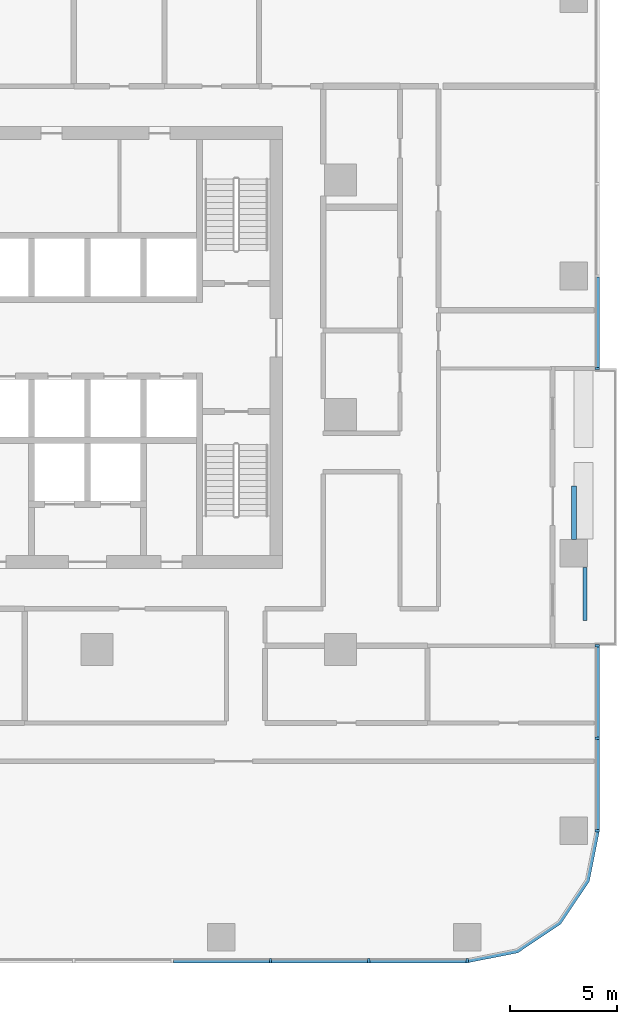
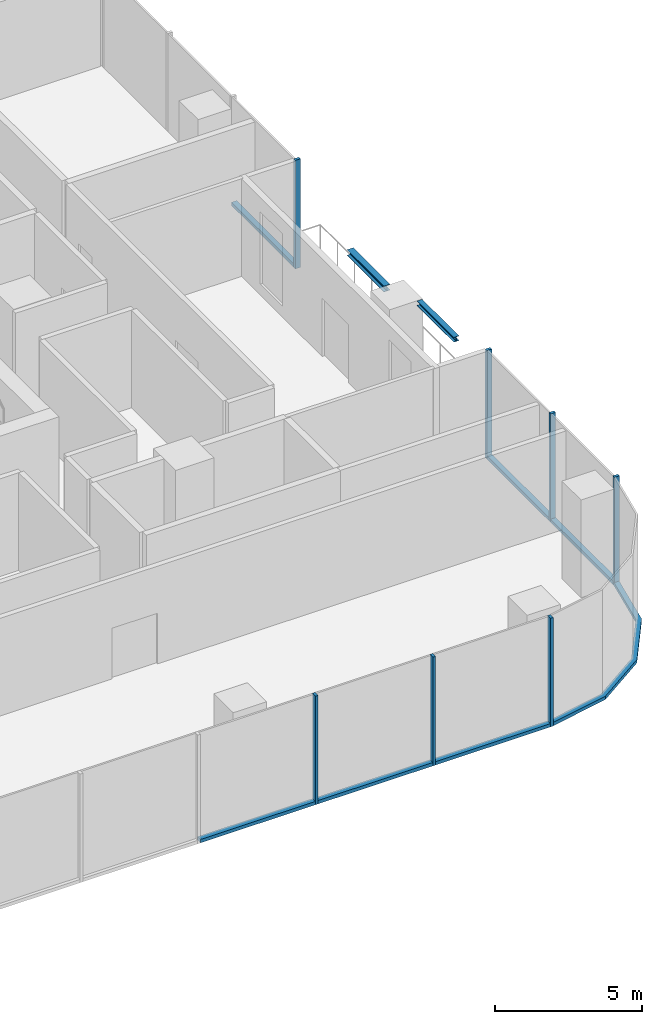
# One storey, part 3 of 14: 14 members, 2 beams, 4 elements without a shape of their own.
"""IFC4 building model written with IfcOpenShell, lengths in metres."""

from ifc_helpers import new_model, si_unit, direction, frame, origin, origin_2d, place, context, subcontext, project, spatial, polyline, rectangle, i_section, outline, extrude, material, material_profile, profile_set, type_object, element, aggregate, save


model = new_model("IFC4")

# Units and contexts
model_context = context("Model", 3, precision=1e-05, world=origin(), true_north=direction((0.0, 1.0)))
body_context = subcontext(model_context, "Body", "Model", "MODEL_VIEW")
ifc_project = project(units=[si_unit("LENGTHUNIT", "METRE"), si_unit("AREAUNIT", "SQUARE_METRE"), si_unit("VOLUMEUNIT", "CUBIC_METRE"), si_unit("PLANEANGLEUNIT", "RADIAN"), si_unit("MASSUNIT", "GRAM", prefix="KILO")], contexts=[model_context])

# Site, building, storey
site_placement = place(None, origin())
site = spatial("IfcSite", under=ifc_project, at=site_placement, CompositionType="ELEMENT")
building_placement = place(site_placement, origin())
building = spatial("IfcBuilding", under=site, at=building_placement, Name="Mopane Tessera Tower", CompositionType="ELEMENT")
storey_placement = place(building_placement, frame((0.0, 0.0, 126.10009765625)))
storey = spatial("IfcBuildingStorey", under=building, at=storey_placement, Name="L25", CompositionType="ELEMENT", Elevation=126.10009765625)

# Curtain wall, members
ifc_material_1 = material(Name="Aluminium frame", Category="aluminium")
curtain_wall_type = type_object("IfcCurtainWallType", Name="Lower tower unitised wall", PredefinedType="NOTDEFINED", material=ifc_material_1)
curtain_wall_1_placement = place(storey_placement, origin())
curtain_wall_1 = element("IfcCurtainWall", 1, at=curtain_wall_1_placement, inside=storey, type_object=curtain_wall_type, Name="e:cw:L25:S:4", PredefinedType="NOTDEFINED")
ifc_material_2 = material(Name="Aluminium frame", Category="aluminium")
ifc_material_profile_1 = material_profile(ifc_material_2, rectangle(XDim=0.110107421875, YDim=0.199951171875, at=origin_2d()))
ifc_profile_set_1 = profile_set([ifc_material_profile_1], Name="Aluminium frame")
member_type_1 = type_object("IfcMemberType", Name="Aluminium mullion 110 x 200", PredefinedType="MULLION", material=ifc_profile_set_1)
member_1_placement = place(storey_placement, frame((13.830078125, -25.60009765625, -0.4501953125), z_axis=(0.0, 0.0, 1.0), x_axis=(1.0, 0.0, 0.0)))
member_1 = element("IfcMember", 2, at=member_1_placement, type_object=member_type_1, Name="e:cw:L25:S:4:mu8", PredefinedType="MULLION", context=body_context, shape_type="SweptSolid", body=[
    extrude(rectangle(XDim=0.110107421875, YDim=0.199951171875, at=origin_2d()), origin(), (0.0, 0.0, 1.0), 4.5),
])
member_2_placement = place(storey_placement, frame((18.43994140625, -25.60009765625, -0.4501953125), z_axis=(0.0, 0.0, 1.0), x_axis=(1.0, 0.0, 0.0)))
member_2 = element("IfcMember", 3, at=member_2_placement, type_object=member_type_1, Name="e:cw:L25:S:4:mu9", PredefinedType="MULLION", context=body_context, shape_type="SweptSolid", body=[
    extrude(rectangle(XDim=0.110107421875, YDim=0.199951171875, at=origin_2d()), origin(), (0.0, 0.0, 1.0), 4.5),
])
member_3_placement = place(storey_placement, frame((23.050048828125, -25.60009765625, -0.4501953125), z_axis=(0.0, 0.0, 1.0), x_axis=(1.0, 0.0, 0.0)))
member_3 = element("IfcMember", 4, at=member_3_placement, type_object=member_type_1, Name="e:cw:L25:S:4:mu10", PredefinedType="MULLION", context=body_context, shape_type="SweptSolid", body=[
    extrude(rectangle(XDim=0.110107421875, YDim=0.199951171875, at=origin_2d()), origin(), (0.0, 0.0, 1.0), 4.5),
])

curtain_wall_2_placement = place(storey_placement, origin())
curtain_wall_2 = element("IfcCurtainWall", 5, at=curtain_wall_2_placement, inside=storey, type_object=curtain_wall_type, Name="e:cw:L25:E:0", PredefinedType="NOTDEFINED")
member_4_placement = place(storey_placement, frame((29.14990234375, -19.5, -0.4501953125), z_axis=(0.0, 0.0, 1.0), x_axis=(0.0, 1.0, 0.0)))
member_4 = element("IfcMember", 6, at=member_4_placement, type_object=member_type_1, Name="e:cw:L25:E:0:mu0", PredefinedType="MULLION", context=body_context, shape_type="SweptSolid", body=[
    extrude(rectangle(XDim=0.110107421875, YDim=0.199951171875, at=origin_2d()), origin(), (0.0, 0.0, 1.0), 4.5),
])
member_5_placement = place(storey_placement, frame((29.14990234375, -15.166748046875, -0.4501953125), z_axis=(0.0, 0.0, 1.0), x_axis=(0.0, 1.0, 0.0)))
member_5 = element("IfcMember", 7, at=member_5_placement, type_object=member_type_1, Name="e:cw:L25:E:0:mu1", PredefinedType="MULLION", context=body_context, shape_type="SweptSolid", body=[
    extrude(rectangle(XDim=0.110107421875, YDim=0.199951171875, at=origin_2d()), origin(), (0.0, 0.0, 1.0), 4.5),
])
member_6_placement = place(storey_placement, frame((29.14990234375, -10.833251953125, -0.4501953125), z_axis=(0.0, 0.0, 1.0), x_axis=(0.0, 1.0, 0.0)))
member_6 = element("IfcMember", 8, at=member_6_placement, type_object=member_type_1, Name="e:cw:L25:E:0:mu2", PredefinedType="MULLION", context=body_context, shape_type="SweptSolid", body=[
    extrude(rectangle(XDim=0.110107421875, YDim=0.199951171875, at=origin_2d()), origin(), (0.0, 0.0, 1.0), 4.5),
])

# Curtain wall, member
curtain_wall_3_placement = place(storey_placement, origin())
curtain_wall_3 = element("IfcCurtainWall", 9, at=curtain_wall_3_placement, inside=storey, type_object=curtain_wall_type, Name="e:cw:L25:E:5", PredefinedType="NOTDEFINED")
member_7_placement = place(storey_placement, frame((29.14990234375, 2.166748046875, -0.4501953125), z_axis=(0.0, 0.0, 1.0), x_axis=(0.0, 1.0, 0.0)))
member_7 = element("IfcMember", 10, at=member_7_placement, type_object=member_type_1, Name="e:cw:L25:E:5:mu5", PredefinedType="MULLION", context=body_context, shape_type="SweptSolid", body=[
    extrude(rectangle(XDim=0.110107421875, YDim=0.199951171875, at=origin_2d()), origin(), (0.0, 0.0, 1.0), 4.5),
])

# Member
ifc_material_3 = material(Name="Aluminium frame", Category="aluminium")
ifc_material_profile_2 = material_profile(ifc_material_3, rectangle(XDim=0.199951171875, YDim=0.139892578125, at=origin_2d()))
ifc_profile_set_2 = profile_set([ifc_material_profile_2], Name="Aluminium frame")
member_type_2 = type_object("IfcMemberType", Name="Aluminium transom 200 x 140", PredefinedType="USERDEFINED", material=ifc_profile_set_2)
member_8_placement = place(storey_placement, frame((9.27490234375, -25.60009765625, -0.380126953125), z_axis=(1.0, 0.0, 0.0), x_axis=(0.0, 1.0, 0.0)))
member_8 = element("IfcMember", 11, at=member_8_placement, type_object=member_type_2, Name="e:cw:L25:S:4:tr7", ObjectType="TRANSOM", PredefinedType="USERDEFINED", context=body_context, shape_type="SweptSolid", body=[
    extrude(rectangle(XDim=0.199951171875, YDim=0.139892578125, at=origin_2d()), origin(), (0.0, 0.0, 1.0), 4.5),
])

member_9_placement = place(storey_placement, frame((13.885009765625, -25.60009765625, -0.380126953125), z_axis=(1.0, 0.0, 0.0), x_axis=(0.0, 1.0, 0.0)))
member_9 = element("IfcMember", 12, at=member_9_placement, type_object=member_type_2, Name="e:cw:L25:S:4:tr8", ObjectType="TRANSOM", PredefinedType="USERDEFINED", context=body_context, shape_type="SweptSolid", body=[
    extrude(rectangle(XDim=0.199951171875, YDim=0.139892578125, at=origin_2d()), origin(), (0.0, 0.0, 1.0), 4.5),
])

member_10_placement = place(storey_placement, frame((18.4951171875, -25.60009765625, -0.380126953125), z_axis=(1.0, 0.0, 0.0), x_axis=(0.0, 1.0, 0.0)))
member_10 = element("IfcMember", 13, at=member_10_placement, type_object=member_type_2, Name="e:cw:L25:S:4:tr9", ObjectType="TRANSOM", PredefinedType="USERDEFINED", context=body_context, shape_type="SweptSolid", body=[
    extrude(rectangle(XDim=0.199951171875, YDim=0.139892578125, at=origin_2d()), origin(), (0.0, 0.0, 1.0), 4.5),
])

aggregate(curtain_wall_1, [member_1, member_2, member_3, member_8, member_9, member_10])

# Curtain wall, member
curtain_wall_4_placement = place(storey_placement, origin())
curtain_wall_4 = element("IfcCurtainWall", 14, at=curtain_wall_4_placement, inside=storey, type_object=curtain_wall_type, Name="e:cw:L25:CS", PredefinedType="NOTDEFINED")
member_11_placement = place(storey_placement, frame((0.0, 0.0, -0.4501953125)))
member_11 = element("IfcMember", 15, at=member_11_placement, type_object=member_type_2, Name="e:cw:L25:CS:tr", ObjectType="TRANSOM", PredefinedType="USERDEFINED", context=body_context, shape_type="SweptSolid", body=[
    extrude(outline(polyline([(23.050048828125, -25.5), (25.34619140625, -25.043212890625), (27.292724609375, -23.74267578125), (28.59326171875, -21.796142578125), (29.050048828125, -19.5), (29.25, -19.5), (28.778076171875, -21.87255859375), (27.43408203125, -23.884033203125), (25.422607421875, -25.22802734375), (23.050048828125, -25.699951171875), (23.050048828125, -25.5)])), origin(), (0.0, 0.0, 1.0), 0.14013671875),
])
aggregate(curtain_wall_4, [member_11])

# Member
member_12_placement = place(storey_placement, frame((29.14990234375, -19.445068359375, -0.380126953125), z_axis=(0.0, 1.0, 0.0), x_axis=(-1.0, 0.0, 0.0)))
member_12 = element("IfcMember", 16, at=member_12_placement, type_object=member_type_2, Name="e:cw:L25:E:0:tr0", ObjectType="TRANSOM", PredefinedType="USERDEFINED", context=body_context, shape_type="SweptSolid", body=[
    extrude(rectangle(XDim=0.199951171875, YDim=0.139892578125, at=origin_2d()), origin(), (0.0, 0.0, 1.0), 4.223388671875),
])

member_13_placement = place(storey_placement, frame((29.14990234375, -15.111572265625, -0.380126953125), z_axis=(0.0, 1.0, 0.0), x_axis=(-1.0, 0.0, 0.0)))
member_13 = element("IfcMember", 17, at=member_13_placement, type_object=member_type_2, Name="e:cw:L25:E:0:tr1", ObjectType="TRANSOM", PredefinedType="USERDEFINED", context=body_context, shape_type="SweptSolid", body=[
    extrude(rectangle(XDim=0.199951171875, YDim=0.139892578125, at=origin_2d()), origin(), (0.0, 0.0, 1.0), 4.22314453125),
])

aggregate(curtain_wall_2, [member_4, member_5, member_6, member_12, member_13])

member_14_placement = place(storey_placement, frame((29.14990234375, 2.2216796875, -0.380126953125), z_axis=(0.0, 1.0, 0.0), x_axis=(-1.0, 0.0, 0.0)))
member_14 = element("IfcMember", 18, at=member_14_placement, type_object=member_type_2, Name="e:cw:L25:E:5:tr5", ObjectType="TRANSOM", PredefinedType="USERDEFINED", context=body_context, shape_type="SweptSolid", body=[
    extrude(rectangle(XDim=0.199951171875, YDim=0.139892578125, at=origin_2d()), origin(), (0.0, 0.0, 1.0), 4.223388671875),
])

aggregate(curtain_wall_3, [member_7, member_14])

# Beams
ifc_material_4 = material(Name="Structural steel S460", Category="steel")
ifc_material_profile_3 = material_profile(ifc_material_4, i_section(OverallWidth=0.239990234375, OverallDepth=0.239990234375, WebThickness=0.010009765625, FlangeThickness=0.01708984375, FilletRadius=0.02099609375, at=origin_2d()))
ifc_profile_set_3 = profile_set([ifc_material_profile_3], Name="Structural steel S460")
beam_type_1 = type_object("IfcBeamType", Name="Terrace spandrel beam HE 240 B", PredefinedType="SPANDREL", material=ifc_profile_set_3)
beam_1_placement = place(storey_placement, frame((28.050048828125, -5.846923828125, 3.929931640625), z_axis=(0.0, 1.0, 0.0), x_axis=(-1.0, 0.0, 0.0)))
element("IfcBeam", 19, at=beam_1_placement, inside=storey, type_object=beam_type_1, Name="Terrace spandrel beam N3 L26", PredefinedType="SPANDREL", context=body_context, shape_type="SweptSolid", body=[
    extrude(i_section(OverallWidth=0.239990234375, OverallDepth=0.239990234375, WebThickness=0.010009765625, FlangeThickness=0.01708984375, FilletRadius=0.02099609375, at=origin_2d()), origin(), (0.0, 0.0, 1.0), 2.5),
])
ifc_material_5 = material(Name="Structural steel S460", Category="steel")
ifc_material_profile_4 = material_profile(ifc_material_5, i_section(OverallWidth=0.199951171875, OverallDepth=0.199951171875, WebThickness=0.009033203125, FlangeThickness=0.014892578125, FilletRadius=0.01806640625, at=origin_2d()))
ifc_profile_set_4 = profile_set([ifc_material_profile_4], Name="Structural steel S460")
beam_type_2 = type_object("IfcBeamType", Name="Terrace trimmer beam HE 200 B", PredefinedType="BEAM", material=ifc_profile_set_4)
beam_2_placement = place(storey_placement, frame((28.570068359375, -7.153076171875, 3.949951171875), z_axis=(0.0, -1.0, 0.0), x_axis=(1.0, 0.0, 0.0)))
element("IfcBeam", 20, at=beam_2_placement, inside=storey, type_object=beam_type_2, Name="Terrace trimmer beam N3 L26", PredefinedType="BEAM", context=body_context, shape_type="SweptSolid", body=[
    extrude(i_section(OverallWidth=0.199951171875, OverallDepth=0.199951171875, WebThickness=0.009033203125, FlangeThickness=0.014892578125, FilletRadius=0.01806640625, at=origin_2d()), origin(), (0.0, 0.0, 1.0), 2.5),
])

save(model, "model.ifc")
